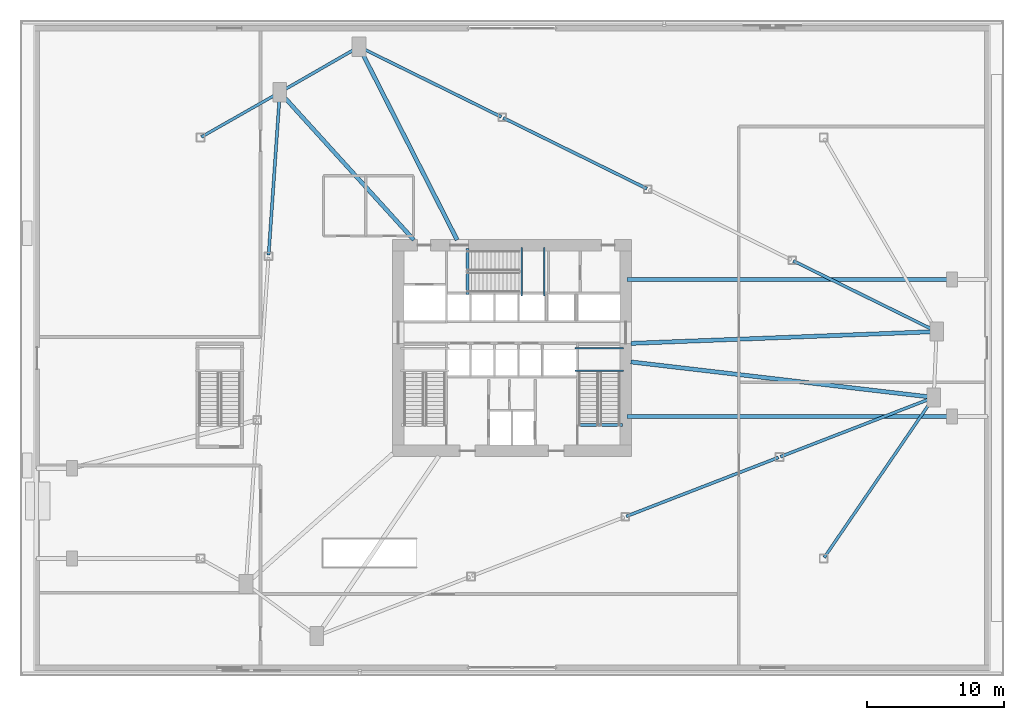
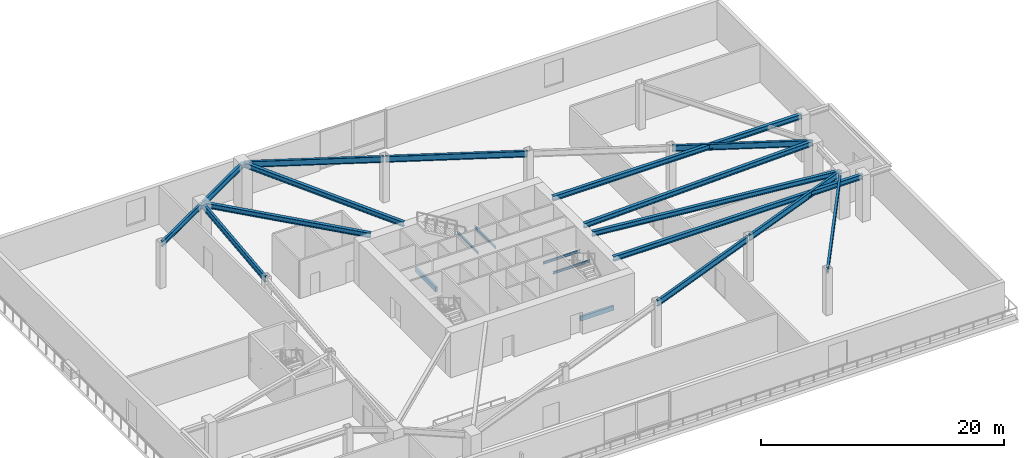
# One storey, part 3 of 14: 21 beams.
"""IFC4 building model written with IfcOpenShell, lengths in metres."""

from ifc_helpers import new_model, si_unit, direction, frame, origin, origin_2d, place, context, subcontext, project, spatial, rectangle, i_section, extrude, source, transform, mapped, material, material_profile, profile_set, type_object, element, save


model = new_model("IFC4")

# Units and contexts
model_context = context("Model", 3, precision=1e-05, world=origin(), true_north=direction((0.0, 1.0)))
body_context = subcontext(model_context, "Body", "Model", "MODEL_VIEW")
ifc_project = project(units=[si_unit("LENGTHUNIT", "METRE"), si_unit("AREAUNIT", "SQUARE_METRE"), si_unit("VOLUMEUNIT", "CUBIC_METRE"), si_unit("PLANEANGLEUNIT", "RADIAN"), si_unit("MASSUNIT", "GRAM", prefix="KILO")], contexts=[model_context])

# Site, building, storey
site_placement = place(None, origin())
site = spatial("IfcSite", under=ifc_project, at=site_placement, CompositionType="ELEMENT")
building_placement = place(site_placement, origin())
building = spatial("IfcBuilding", under=site, at=building_placement, Name="Olszyna Solenne Hotel", CompositionType="ELEMENT")
storey_placement = place(building_placement, frame((0.0, 0.0, 5.39990234375)))
storey = spatial("IfcBuildingStorey", under=building, at=storey_placement, Name="L01", CompositionType="ELEMENT", Elevation=5.39990234375)

# Beams
ifc_material_1 = material(Name="Steel S355J2", Category="steel")
ifc_material_profile_1 = material_profile(ifc_material_1, i_section(OverallWidth=0.300048828125, OverallDepth=0.489990234375, WebThickness=0.011962890625, FlangeThickness=0.02294921875, at=origin_2d()), Name="HEA 500", Category="load-bearing")
ifc_profile_set_1 = profile_set([ifc_material_profile_1], Name="Steel S355J2")
beam_type_1 = type_object("IfcBeamType", Name="BM-G1", PredefinedType="BEAM", material=ifc_profile_set_1)
shared_shape_1 = source(origin(), body_context, "Body", "SweptSolid", [
    extrude(i_section(OverallWidth=0.300048828125, OverallDepth=0.489990234375, WebThickness=0.011962890625, FlangeThickness=0.02294921875, at=origin_2d()), origin(), (0.0, 0.0, 1.0), 22.2294921875),
])
beam_1_placement = place(storey_placement, frame((68.778564453125, 22.993896484375, 4.235107421875), z_axis=(-0.993206789888, 0.116362676665, 0.0), x_axis=(-0.116362676665, -0.993206789888, 0.0)))
element("IfcBeam", 1, at=beam_1_placement, inside=storey, type_object=beam_type_1, Name="Podium radial girder BM-G1 B-L01-0064", PredefinedType="BEAM", context=body_context, shape_type="MappedRepresentation", body=[
    mapped(shared_shape_1, transform((0.0, 0.0, 0.0), x_axis=(1.0, 0.0, 0.0), y_axis=(0.0, 1.0, 0.0), z_axis=(0.0, 0.0, 1.0), scale=1.0)),
])
shared_shape_2 = source(origin(), body_context, "Body", "SweptSolid", [
    extrude(i_section(OverallWidth=0.300048828125, OverallDepth=0.489990234375, WebThickness=0.011962890625, FlangeThickness=0.02294921875, at=origin_2d()), origin(), (0.0, 0.0, 1.0), 22.309326171875),
])
beam_2_placement = place(storey_placement, frame((68.99267578125, 27.7998046875, 4.235107421875), z_axis=(-0.999251460368, -0.038684867238, 0.0), x_axis=(0.038684867238, -0.999251460368, 0.0)))
element("IfcBeam", 2, at=beam_2_placement, inside=storey, type_object=beam_type_1, Name="Podium radial girder BM-G1 B-L01-0066", PredefinedType="BEAM", context=body_context, shape_type="MappedRepresentation", body=[
    mapped(shared_shape_2, transform((0.0, 0.0, 0.0), x_axis=(1.0, 0.0, 0.0), y_axis=(0.0, 1.0, 0.0), z_axis=(0.0, 0.0, 1.0), scale=1.0)),
])
shared_shape_3 = source(origin(), body_context, "Body", "SweptSolid", [
    extrude(i_section(OverallWidth=0.300048828125, OverallDepth=0.489990234375, WebThickness=0.011962890625, FlangeThickness=0.02294921875, at=origin_2d()), origin(), (0.0, 0.0, 1.0), 15.77392578125),
])
beam_3_placement = place(storey_placement, frame((26.84521484375, 48.5703125, 4.235107421875), z_axis=(0.452702772285, -0.891661482832, 0.0), x_axis=(0.891661482832, 0.452702772285, 0.0)))
element("IfcBeam", 3, at=beam_3_placement, inside=storey, type_object=beam_type_1, Name="Podium radial girder BM-G1 B-L01-0068", PredefinedType="BEAM", context=body_context, shape_type="MappedRepresentation", body=[
    mapped(shared_shape_3, transform((0.0, 0.0, 0.0), x_axis=(1.0, 0.0, 0.0), y_axis=(0.0, 1.0, 0.0), z_axis=(0.0, 0.0, 1.0), scale=1.0)),
])
ifc_material_profile_2 = material_profile(ifc_material_1, i_section(OverallWidth=0.2099609375, OverallDepth=0.550048828125, WebThickness=0.010986328125, FlangeThickness=0.01708984375, at=origin_2d()), Name="IPE 550", Category="load-bearing")
ifc_profile_set_2 = profile_set([ifc_material_profile_2], Name="Steel S355J2")
beam_type_2 = type_object("IfcBeamType", Name="BM-F2", PredefinedType="BEAM", material=ifc_profile_set_2)
shared_shape_4 = source(origin(), body_context, "Body", "SweptSolid", [
    extrude(i_section(OverallWidth=0.2099609375, OverallDepth=0.550048828125, WebThickness=0.010986328125, FlangeThickness=0.01708984375, at=origin_2d()), origin(), (0.0, 0.0, 1.0), 14.1162109375),
])
beam_4_placement = place(storey_placement, frame((60.84521484375, 11.26611328125, 4.205078125), z_axis=(0.564440227012, 0.825473942733, 0.0), x_axis=(-0.825473942733, 0.564440227012, 0.0)))
element("IfcBeam", 4, at=beam_4_placement, inside=storey, type_object=beam_type_2, Name="Podium terrace girder BM-F2 B-L01-0087", PredefinedType="BEAM", context=body_context, shape_type="MappedRepresentation", body=[
    mapped(shared_shape_4, transform((0.0, 0.0, 0.0), x_axis=(1.0, 0.0, 0.0), y_axis=(0.0, 1.0, 0.0), z_axis=(0.0, 0.0, 1.0), scale=1.0)),
])
shared_shape_5 = source(origin(), body_context, "Body", "SweptSolid", [
    extrude(i_section(OverallWidth=0.300048828125, OverallDepth=0.489990234375, WebThickness=0.011962890625, FlangeThickness=0.02294921875, at=origin_2d()), origin(), (0.0, 0.0, 1.0), 14.502197265625),
])
beam_5_placement = place(storey_placement, frame((21.068115234375, 45.250244140625, 4.235107421875), z_axis=(0.672176589992, -0.740390864252, 0.0), x_axis=(0.740390864252, 0.672176589992, 0.0)))
element("IfcBeam", 5, at=beam_5_placement, inside=storey, type_object=beam_type_1, Name="Podium radial girder BM-G1 B-L01-0070", PredefinedType="BEAM", context=body_context, shape_type="MappedRepresentation", body=[
    mapped(shared_shape_5, transform((0.0, 0.0, 0.0), x_axis=(1.0, 0.0, 0.0), y_axis=(0.0, 1.0, 0.0), z_axis=(0.0, 0.0, 1.0), scale=1.0)),
])
shared_shape_6 = source(origin(), body_context, "Body", "SweptSolid", [
    extrude(i_section(OverallWidth=0.300048828125, OverallDepth=0.489990234375, WebThickness=0.011962890625, FlangeThickness=0.02294921875, at=origin_2d()), origin(), (0.0, 0.0, 1.0), 23.739990234375),
])
for number, where, z_axis, x_axis, name in (
    (6, (46.39990234375, 21.60009765625, 4.235107421875), (1.0, 0.0, 0.0), (0.0, 1.0, 0.0), "Terrace East interior back-span girder BM-G1 B-L01-0080"),
    (7, (46.39990234375, 31.60009765625, 4.235107421875), (1.0, 0.0, 0.0), (0.0, 1.0, 0.0), "Terrace East interior back-span girder BM-G1 B-L01-0082"),
):
    element("IfcBeam", number, at=place(storey_placement, frame(where, z_axis=z_axis, x_axis=x_axis)), inside=storey, type_object=beam_type_1, Name=name, PredefinedType="BEAM", context=body_context, shape_type="MappedRepresentation", body=[
        mapped(shared_shape_6, transform((0.0, 0.0, 0.0), x_axis=(1.0, 0.0, 0.0), y_axis=(0.0, 1.0, 0.0), z_axis=(0.0, 0.0, 1.0), scale=1.0)),
    ])
shared_shape_7 = source(origin(), body_context, "Body", "SweptSolid", [
    extrude(i_section(OverallWidth=0.2099609375, OverallDepth=0.550048828125, WebThickness=0.010986328125, FlangeThickness=0.01708984375, at=origin_2d()), origin(), (0.0, 0.0, 1.0), 6.5302734375),
])
beam_6_placement = place(storey_placement, frame((15.26953125, 42.03955078125, 4.205078125), z_axis=(0.869086244162, 0.494660590919, 0.0), x_axis=(-0.494660590919, 0.869086244162, 0.0)))
element("IfcBeam", 8, at=beam_6_placement, inside=storey, type_object=beam_type_2, Name="Podium terrace girder BM-F2 B-L01-0086", PredefinedType="BEAM", context=body_context, shape_type="MappedRepresentation", body=[
    mapped(shared_shape_7, transform((0.0, 0.0, 0.0), x_axis=(1.0, 0.0, 0.0), y_axis=(0.0, 1.0, 0.0), z_axis=(0.0, 0.0, 1.0), scale=1.0)),
])
ifc_material_profile_3 = material_profile(ifc_material_1, i_section(OverallWidth=0.219970703125, OverallDepth=0.60009765625, WebThickness=0.011962890625, FlangeThickness=0.01904296875, at=origin_2d()), Name="IPE 600", Category="load-bearing")
ifc_profile_set_3 = profile_set([ifc_material_profile_3], Name="Steel S355J2")
beam_type_3 = type_object("IfcBeamType", Name="BM-F1", PredefinedType="BEAM", material=ifc_profile_set_3)
shared_shape_8 = source(origin(), body_context, "Body", "SweptSolid", [
    extrude(i_section(OverallWidth=0.219970703125, OverallDepth=0.60009765625, WebThickness=0.011962890625, FlangeThickness=0.01904296875, at=origin_2d()), origin(), (0.0, 0.0, 1.0), 11.6201171875),
])
beam_7_placement = place(storey_placement, frame((69.000732421875, 27.83837890625, 4.18017578125), z_axis=(-0.896896785097, 0.442239931352, 0.0), x_axis=(-0.442239931352, -0.896896785097, 0.0)))
element("IfcBeam", 9, at=beam_7_placement, inside=storey, type_object=beam_type_3, Name="Podium ring girder BM-F1 B-L01-0065", PredefinedType="BEAM", context=body_context, shape_type="MappedRepresentation", body=[
    mapped(shared_shape_8, transform((0.0, 0.0, 0.0), x_axis=(1.0, 0.0, 0.0), y_axis=(0.0, 1.0, 0.0), z_axis=(0.0, 0.0, 1.0), scale=1.0)),
])
shared_shape_9 = source(origin(), body_context, "Body", "SweptSolid", [
    extrude(i_section(OverallWidth=0.219970703125, OverallDepth=0.60009765625, WebThickness=0.011962890625, FlangeThickness=0.01904296875, at=origin_2d()), origin(), (0.0, 0.0, 1.0), 11.718017578125),
])
beam_8_placement = place(storey_placement, frame((47.868896484375, 38.2578125, 4.18017578125), z_axis=(-0.896909246916, 0.442214656921, 0.0), x_axis=(-0.442214656921, -0.896909246916, 0.0)))
element("IfcBeam", 10, at=beam_8_placement, inside=storey, type_object=beam_type_3, Name="Podium ring girder BM-F1 BRG-L01-23", PredefinedType="BEAM", context=body_context, shape_type="MappedRepresentation", body=[
    mapped(shared_shape_9, transform((0.0, 0.0, 0.0), x_axis=(1.0, 0.0, 0.0), y_axis=(0.0, 1.0, 0.0), z_axis=(0.0, 0.0, 1.0), scale=1.0)),
])
shared_shape_10 = source(origin(), body_context, "Body", "SweptSolid", [
    extrude(i_section(OverallWidth=0.219970703125, OverallDepth=0.60009765625, WebThickness=0.011962890625, FlangeThickness=0.01904296875, at=origin_2d()), origin(), (0.0, 0.0, 1.0), 11.5224609375),
])
beam_9_placement = place(storey_placement, frame((37.215087890625, 43.510498046875, 4.18017578125), z_axis=(-0.896896659494, 0.442240186085, 0.0), x_axis=(-0.442240186085, -0.896896659494, 0.0)))
element("IfcBeam", 11, at=beam_9_placement, inside=storey, type_object=beam_type_3, Name="Podium ring girder BM-F1 BRG-L01-24", PredefinedType="BEAM", context=body_context, shape_type="MappedRepresentation", body=[
    mapped(shared_shape_10, transform((0.0, 0.0, 0.0), x_axis=(1.0, 0.0, 0.0), y_axis=(0.0, 1.0, 0.0), z_axis=(0.0, 0.0, 1.0), scale=1.0)),
])
shared_shape_11 = source(origin(), body_context, "Body", "SweptSolid", [
    extrude(i_section(OverallWidth=0.219970703125, OverallDepth=0.60009765625, WebThickness=0.011962890625, FlangeThickness=0.01904296875, at=origin_2d()), origin(), (0.0, 0.0, 1.0), 6.524169921875),
])
beam_10_placement = place(storey_placement, frame((26.739501953125, 48.601806640625, 4.18017578125), z_axis=(-0.866881237844, -0.498514713397, 0.0), x_axis=(0.498514713397, -0.866881237844, 0.0)))
element("IfcBeam", 12, at=beam_10_placement, inside=storey, type_object=beam_type_3, Name="Podium ring girder BM-F1 B-L01-0067", PredefinedType="BEAM", context=body_context, shape_type="MappedRepresentation", body=[
    mapped(shared_shape_11, transform((0.0, 0.0, 0.0), x_axis=(1.0, 0.0, 0.0), y_axis=(0.0, 1.0, 0.0), z_axis=(0.0, 0.0, 1.0), scale=1.0)),
])
shared_shape_12 = source(origin(), body_context, "Body", "SweptSolid", [
    extrude(i_section(OverallWidth=0.219970703125, OverallDepth=0.60009765625, WebThickness=0.011962890625, FlangeThickness=0.01904296875, at=origin_2d()), origin(), (0.0, 0.0, 1.0), 11.857666015625),
])
beam_11_placement = place(storey_placement, frame((21.0087890625, 45.2294921875, 4.18017578125), z_axis=(-0.068850141024, -0.997627013508, 0.0), x_axis=(0.997627013508, -0.068850141024, 0.0)))
element("IfcBeam", 13, at=beam_11_placement, inside=storey, type_object=beam_type_3, Name="Podium ring girder BM-F1 B-L01-0069", PredefinedType="BEAM", context=body_context, shape_type="MappedRepresentation", body=[
    mapped(shared_shape_12, transform((0.0, 0.0, 0.0), x_axis=(1.0, 0.0, 0.0), y_axis=(0.0, 1.0, 0.0), z_axis=(0.0, 0.0, 1.0), scale=1.0)),
])
shared_shape_13 = source(origin(), body_context, "Body", "SweptSolid", [
    extrude(i_section(OverallWidth=0.219970703125, OverallDepth=0.60009765625, WebThickness=0.011962890625, FlangeThickness=0.01904296875, at=origin_2d()), origin(), (0.0, 0.0, 1.0), 11.94091796875),
])
for number, where, z_axis, x_axis, name in (
    (14, (46.36083984375, 14.28125, 4.18017578125), (0.932642459435, 0.360801944091, 0.0), (-0.360801944091, 0.932642459435, 0.0), "Podium ring girder BM-F1 BRG-L01-63"),
    (15, (57.646728515625, 18.6474609375, 4.18017578125), (0.932642459435, 0.360801944091, 0.0), (-0.360801944091, 0.932642459435, 0.0), "Podium ring girder BM-F1 BRG-L01-64"),
):
    element("IfcBeam", number, at=place(storey_placement, frame(where, z_axis=z_axis, x_axis=x_axis)), inside=storey, type_object=beam_type_3, Name=name, PredefinedType="BEAM", context=body_context, shape_type="MappedRepresentation", body=[
        mapped(shared_shape_13, transform((0.0, 0.0, 0.0), x_axis=(1.0, 0.0, 0.0), y_axis=(0.0, 1.0, 0.0), z_axis=(0.0, 0.0, 1.0), scale=1.0)),
    ])
ifc_material_profile_4 = material_profile(ifc_material_1, i_section(OverallWidth=0.1201171875, OverallDepth=0.239990234375, WebThickness=0.006103515625, FlangeThickness=0.009765625, at=origin_2d()), Name="IPE 240", Category="load-bearing")
ifc_profile_set_4 = profile_set([ifc_material_profile_4], Name="Steel S355J2")
beam_type_4 = type_object("IfcBeamType", Name="JS-03", PredefinedType="JOIST", material=ifc_profile_set_4)
shared_shape_14 = source(origin(), body_context, "Body", "SweptSolid", [
    extrude(i_section(OverallWidth=0.1201171875, OverallDepth=0.239990234375, WebThickness=0.006103515625, FlangeThickness=0.009765625, at=origin_2d()), origin(), (0.0, 0.0, 1.0), 3.539794921875),
])
for number, where, z_axis, x_axis, name in (
    (16, (46.159912109375, 24.93994140625, 2.0751953125), (-1.0, 0.0, 0.0), (0.0, -1.0, 0.0), "Stair landing support beam JS-03 SLB-ST2-0247"),
    (17, (46.159912109375, 26.580078125, 2.0751953125), (-1.0, 0.0, 0.0), (0.0, -1.0, 0.0), "Stair landing support beam JS-03 SLB-ST2-0248"),
):
    element("IfcBeam", number, at=place(storey_placement, frame(where, z_axis=z_axis, x_axis=x_axis)), inside=storey, type_object=beam_type_4, Name=name, PredefinedType="JOIST", context=body_context, shape_type="MappedRepresentation", body=[
        mapped(shared_shape_14, transform((0.0, 0.0, 0.0), x_axis=(1.0, 0.0, 0.0), y_axis=(0.0, 1.0, 0.0), z_axis=(0.0, 0.0, 1.0), scale=1.0)),
    ])
ifc_material_2 = material(Name="Concrete C50/60", Category="concrete")
ifc_material_profile_5 = material_profile(ifc_material_2, rectangle(XDim=0.219970703125, YDim=0.43994140625, at=origin_2d()), Name="RC 220x440", Category="load-bearing")
ifc_profile_set_5 = profile_set([ifc_material_profile_5], Name="Concrete C50/60")
beam_type_5 = type_object("IfcBeamType", Name="BM-ST1", PredefinedType="BEAM", material=ifc_profile_set_5)
shared_shape_15 = source(origin(), body_context, "Body", "SweptSolid", [
    extrude(rectangle(XDim=0.219970703125, YDim=0.43994140625, at=origin_2d()), origin(), (0.0, 0.0, 1.0), 3.18017578125),
])
beam_12_placement = place(storey_placement, frame((46.080078125, 20.97998046875, -0.204833984375), z_axis=(-1.0, 0.0, 0.0), x_axis=(0.0, -1.0, 0.0)))
element("IfcBeam", 18, at=beam_12_placement, inside=storey, type_object=beam_type_5, Name="Concrete stair trimmer beam BM-ST1 SHB-ST2-0403", PredefinedType="BEAM", context=body_context, shape_type="MappedRepresentation", body=[
    mapped(shared_shape_15, transform((0.0, 0.0, 0.0), x_axis=(1.0, 0.0, 0.0), y_axis=(0.0, 1.0, 0.0), z_axis=(0.0, 0.0, 1.0), scale=1.0)),
])
shared_shape_16 = source(origin(), body_context, "Body", "SweptSolid", [
    extrude(i_section(OverallWidth=0.1201171875, OverallDepth=0.239990234375, WebThickness=0.006103515625, FlangeThickness=0.009765625, at=origin_2d()), origin(), (0.0, 0.0, 1.0), 3.5400390625),
])
for number, where, z_axis, x_axis, name in (
    (19, (38.719970703125, 30.419921875, 2.0751953125), (0.0, 1.0, 0.0), (-1.0, 0.0, 0.0), "Stair landing support beam JS-03 SLB-ST3-0487"),
    (20, (40.360107421875, 30.419921875, 2.0751953125), (0.0, 1.0, 0.0), (-1.0, 0.0, 0.0), "Stair landing support beam JS-03 SLB-ST3-0488"),
):
    element("IfcBeam", number, at=place(storey_placement, frame(where, z_axis=z_axis, x_axis=x_axis)), inside=storey, type_object=beam_type_4, Name=name, PredefinedType="JOIST", context=body_context, shape_type="MappedRepresentation", body=[
        mapped(shared_shape_16, transform((0.0, 0.0, 0.0), x_axis=(1.0, 0.0, 0.0), y_axis=(0.0, 1.0, 0.0), z_axis=(0.0, 0.0, 1.0), scale=1.0)),
    ])
shared_shape_17 = source(origin(), body_context, "Body", "SweptSolid", [
    extrude(rectangle(XDim=0.219970703125, YDim=0.43994140625, at=origin_2d()), origin(), (0.0, 0.0, 1.0), 3.3798828125),
])
beam_13_placement = place(storey_placement, frame((34.760009765625, 30.5, -0.204833984375), z_axis=(0.0, 1.0, 0.0), x_axis=(-1.0, 0.0, 0.0)))
element("IfcBeam", 21, at=beam_13_placement, inside=storey, type_object=beam_type_5, Name="Concrete stair trimmer beam BM-ST1 SHB-ST3-0641", PredefinedType="BEAM", context=body_context, shape_type="MappedRepresentation", body=[
    mapped(shared_shape_17, transform((0.0, 0.0, 0.0), x_axis=(1.0, 0.0, 0.0), y_axis=(0.0, 1.0, 0.0), z_axis=(0.0, 0.0, 1.0), scale=1.0)),
])

save(model, "model.ifc")
